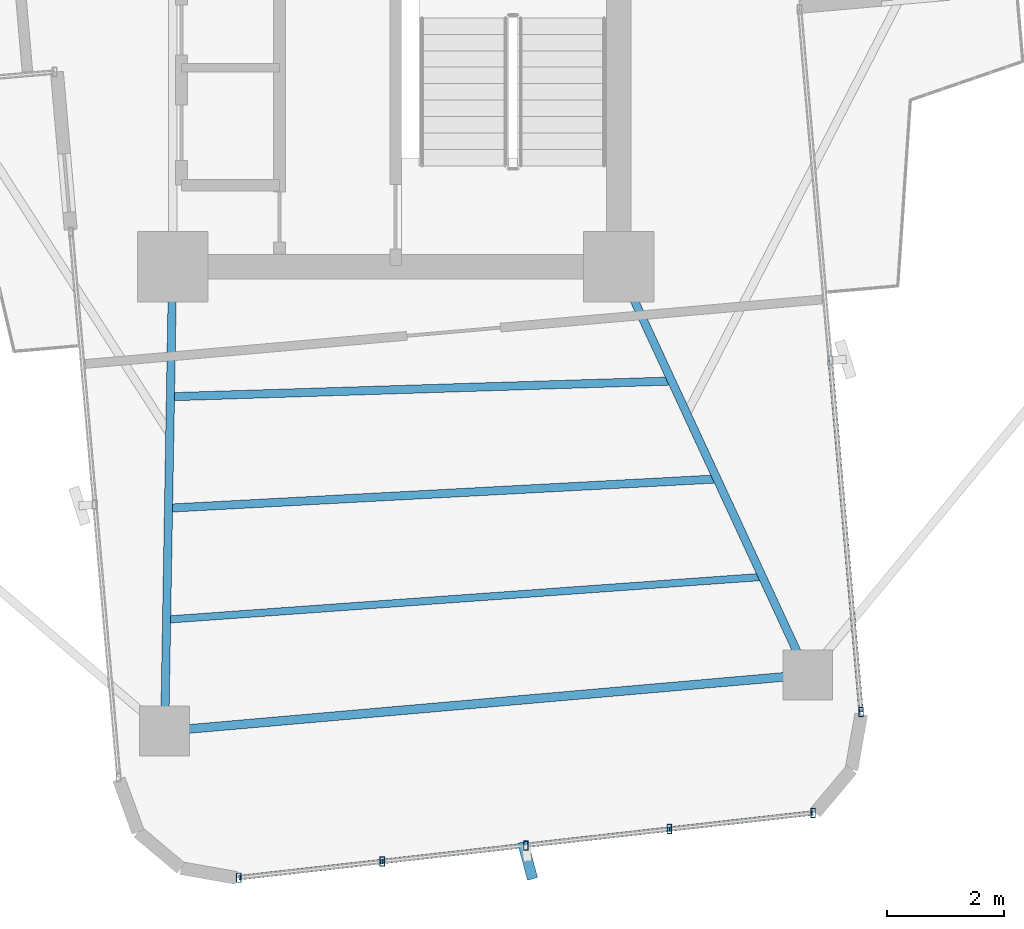
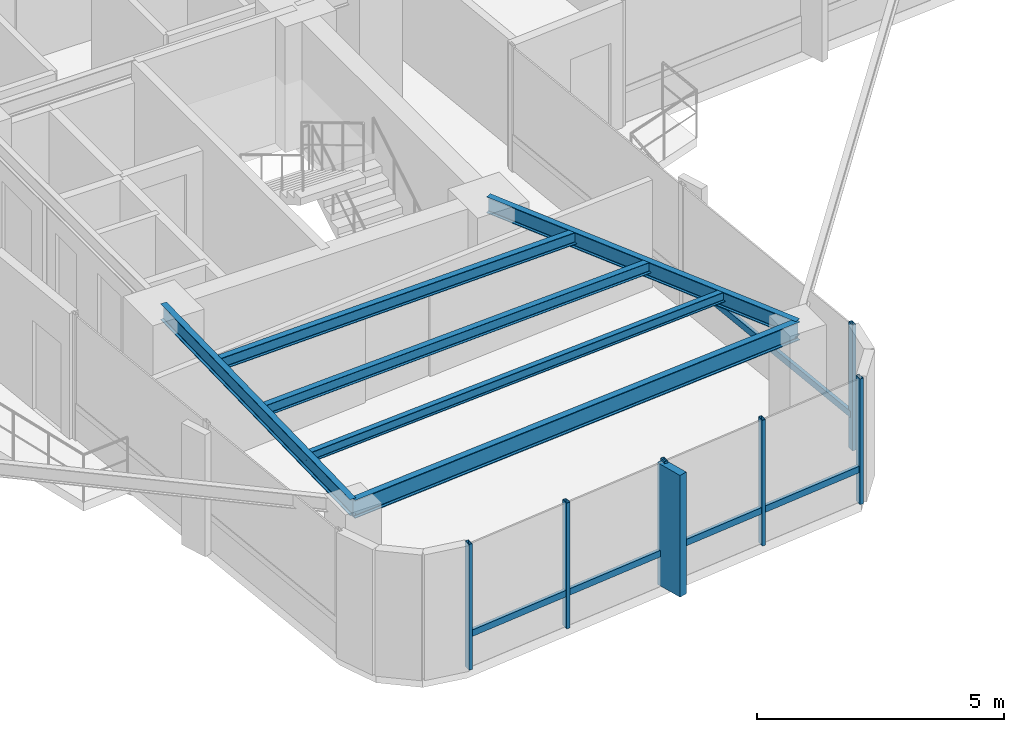
# One storey, part 6 of 24: 12 members, 6 beams, 2 elements without a shape of their own.
"""IFC4 building model written with IfcOpenShell, lengths in metres."""

from ifc_helpers import new_model, si_unit, direction, frame, origin, origin_2d, place, context, subcontext, project, spatial, rectangle, hollow_rectangle, i_section, extrude, source, transform, mapped, material, material_profile, profile_set, type_object, element, aggregate, save


model = new_model("IFC4")

# Units and contexts
model_context = context("Model", 3, precision=1e-05, world=origin(), true_north=direction((0.0, 1.0)))
body_context = subcontext(model_context, "Body", "Model", "MODEL_VIEW")
ifc_project = project(units=[si_unit("LENGTHUNIT", "METRE"), si_unit("AREAUNIT", "SQUARE_METRE"), si_unit("VOLUMEUNIT", "CUBIC_METRE"), si_unit("PLANEANGLEUNIT", "RADIAN"), si_unit("MASSUNIT", "GRAM", prefix="KILO")], contexts=[model_context])

# Site, building, storey
site_placement = place(None, origin())
site = spatial("IfcSite", under=ifc_project, at=site_placement, CompositionType="ELEMENT")
building_placement = place(site_placement, origin())
building = spatial("IfcBuilding", under=site, at=building_placement, Name="Sahyath Konkavel Grand Hotel", CompositionType="ELEMENT")
storey_placement = place(building_placement, frame((0.0, 0.0, 153.949951171875)))
storey = spatial("IfcBuildingStorey", under=building, at=storey_placement, Name="L42", CompositionType="ELEMENT", Elevation=153.949951171875)

# Beams
ifc_material_1 = material(Name="Steel E350", Category="steel")
ifc_material_profile_1 = material_profile(ifc_material_1, i_section(OverallWidth=0.139892578125, OverallDepth=0.39990234375, WebThickness=0.0087890625, FlangeThickness=0.01611328125, FilletRadius=0.013916015625, at=origin_2d()), Name="ISMB 400")
ifc_profile_set_1 = profile_set([ifc_material_profile_1], Name="Steel E350")
beam_type_1 = type_object("IfcBeamType", Name="BM-ISMB400", PredefinedType="BEAM", material=ifc_profile_set_1)
shared_shape_1 = source(origin(), body_context, "Body", "SweptSolid", [
    extrude(i_section(OverallWidth=0.139892578125, OverallDepth=0.39990234375, WebThickness=0.0087890625, FlangeThickness=0.01611328125, FilletRadius=0.013916015625, at=origin_2d()), origin(), (0.0, 0.0, 1.0), 7.913330078125),
])
beam_1_placement = place(storey_placement, frame((-3.800048828125, -10.199951171875, 2.91015625), z_axis=(-0.017215419232, -0.999851803689, 0.0), x_axis=(0.999851803689, -0.017215419232, 0.0)))
element("IfcBeam", 1, at=beam_1_placement, inside=storey, type_object=beam_type_1, Name="L42 Cruciform Radial Girder SA", PredefinedType="BEAM", context=body_context, shape_type="MappedRepresentation", body=[
    mapped(shared_shape_1, transform((0.0, 0.0, 0.0), scale=1.0)),
])
shared_shape_2 = source(origin(), body_context, "Body", "SweptSolid", [
    extrude(i_section(OverallWidth=0.139892578125, OverallDepth=0.39990234375, WebThickness=0.0087890625, FlangeThickness=0.01611328125, FilletRadius=0.013916015625, at=origin_2d()), origin(), (0.0, 0.0, 1.0), 7.66357421875),
])
beam_2_placement = place(storey_placement, frame((3.800048828125, -10.199951171875, 2.91015625), z_axis=(0.420395127561, -0.907341135804, 0.0), x_axis=(0.907341135804, 0.420395127561, 0.0)))
element("IfcBeam", 2, at=beam_2_placement, inside=storey, type_object=beam_type_1, Name="L42 Cruciform Radial Girder SB", PredefinedType="BEAM", context=body_context, shape_type="MappedRepresentation", body=[
    mapped(shared_shape_2, transform((0.0, 0.0, 0.0), scale=1.0)),
])
ifc_material_profile_2 = material_profile(ifc_material_1, i_section(OverallWidth=0.14990234375, OverallDepth=0.449951171875, WebThickness=0.009521484375, FlangeThickness=0.017333984375, FilletRadius=0.014892578125, at=origin_2d()), Name="ISMB 450")
ifc_profile_set_2 = profile_set([ifc_material_profile_2], Name="Steel E350")
beam_type_2 = type_object("IfcBeamType", Name="BM-ISMB450", PredefinedType="BEAM", material=ifc_profile_set_2)
shared_shape_3 = source(origin(), body_context, "Body", "SweptSolid", [
    extrude(i_section(OverallWidth=0.14990234375, OverallDepth=0.449951171875, WebThickness=0.009521484375, FlangeThickness=0.017333984375, FilletRadius=0.014892578125, at=origin_2d()), origin(), (0.0, 0.0, 1.0), 10.999755859375),
])
beam_3_placement = place(storey_placement, frame((-3.936279296875, -18.112060546875, 2.885009765625), z_axis=(0.99619439202, 0.087159241098, 0.0), x_axis=(-0.087159241098, 0.99619439202, 0.0)))
element("IfcBeam", 3, at=beam_3_placement, inside=storey, type_object=beam_type_2, Name="L42 Wing Tip Edge Beam S", PredefinedType="BEAM", context=body_context, shape_type="MappedRepresentation", body=[
    mapped(shared_shape_3, transform((0.0, 0.0, 0.0), scale=1.0)),
])
ifc_material_profile_3 = material_profile(ifc_material_1, i_section(OverallWidth=0.139892578125, OverallDepth=0.300048828125, WebThickness=0.0078125, FlangeThickness=0.01318359375, FilletRadius=0.013916015625, at=origin_2d()), Name="ISMB 300")
ifc_profile_set_3 = profile_set([ifc_material_profile_3], Name="Steel E350")
beam_type_3 = type_object("IfcBeamType", Name="BM-ISMB300", PredefinedType="BEAM", material=ifc_profile_set_3)
shared_shape_4 = source(origin(), body_context, "Body", "SweptSolid", [
    extrude(i_section(OverallWidth=0.139892578125, OverallDepth=0.300048828125, WebThickness=0.0078125, FlangeThickness=0.01318359375, FilletRadius=0.013916015625, at=origin_2d()), origin(), (0.0, 0.0, 1.0), 8.54443359375),
])
beam_4_placement = place(storey_placement, frame((-3.838134765625, -12.415283203125, 2.9599609375), z_axis=(0.999506849365, 0.031401561632, 0.0), x_axis=(-0.031401561632, 0.999506849365, 0.0)))
element("IfcBeam", 4, at=beam_4_placement, inside=storey, type_object=beam_type_3, Name="L42 Secondary Floor Beam S-1", PredefinedType="BEAM", context=body_context, shape_type="MappedRepresentation", body=[
    mapped(shared_shape_4, transform((0.0, 0.0, 0.0), scale=1.0)),
])
ifc_material_profile_4 = material_profile(ifc_material_1, i_section(OverallWidth=0.139892578125, OverallDepth=0.27490234375, WebThickness=0.00634765625, FlangeThickness=0.0087890625, FilletRadius=0.012939453125, at=origin_2d()), Name="ISLB 275")
ifc_profile_set_4 = profile_set([ifc_material_profile_4], Name="Steel E350")
beam_type_4 = type_object("IfcBeamType", Name="BM-ISLB275", PredefinedType="BEAM", material=ifc_profile_set_4)
shared_shape_5 = source(origin(), body_context, "Body", "SweptSolid", [
    extrude(i_section(OverallWidth=0.139892578125, OverallDepth=0.27490234375, WebThickness=0.00634765625, FlangeThickness=0.0087890625, FilletRadius=0.012939453125, at=origin_2d()), origin(), (0.0, 0.0, 1.0), 9.359375),
])
beam_5_placement = place(storey_placement, frame((-3.870849609375, -14.314208984375, 2.97265625), z_axis=(0.998580397723, 0.053265272769, 0.0), x_axis=(-0.053265272769, 0.998580397723, 0.0)))
element("IfcBeam", 5, at=beam_5_placement, inside=storey, type_object=beam_type_4, Name="L42 Secondary Floor Beam S-2", PredefinedType="BEAM", context=body_context, shape_type="MappedRepresentation", body=[
    mapped(shared_shape_5, transform((0.0, 0.0, 0.0), scale=1.0)),
])
ifc_material_profile_5 = material_profile(ifc_material_1, i_section(OverallWidth=0.125, OverallDepth=0.25, WebThickness=0.0068359375, FlangeThickness=0.012451171875, FilletRadius=0.012939453125, at=origin_2d()), Name="ISMB 250")
ifc_profile_set_5 = profile_set([ifc_material_profile_5], Name="Steel E350")
beam_type_5 = type_object("IfcBeamType", Name="BM-ISMB250", PredefinedType="BEAM", material=ifc_profile_set_5)
shared_shape_6 = source(origin(), body_context, "Body", "SweptSolid", [
    extrude(i_section(OverallWidth=0.125, OverallDepth=0.25, WebThickness=0.0068359375, FlangeThickness=0.012451171875, FilletRadius=0.012939453125, at=origin_2d()), origin(), (0.0, 0.0, 1.0), 10.178466796875),
])
beam_6_placement = place(storey_placement, frame((-3.90380859375, -16.213134765625, 2.985107421875), z_axis=(0.997435268886, 0.071574327683, 0.0), x_axis=(-0.071574327683, 0.997435268886, 0.0)))
element("IfcBeam", 6, at=beam_6_placement, inside=storey, type_object=beam_type_5, Name="L42 Secondary Floor Beam S-3", PredefinedType="BEAM", context=body_context, shape_type="MappedRepresentation", body=[
    mapped(shared_shape_6, transform((0.0, 0.0, 0.0), scale=1.0)),
])

# Curtain wall, members
ifc_material_2 = material(Name="Anodised Bronze Aluminium & Low-E Glazing", Category="aluminium")
curtain_wall_type = type_object("IfcCurtainWallType", Name="CW-ZONE3", PredefinedType="NOTDEFINED", material=ifc_material_2)
curtain_wall_1_placement = place(storey_placement, origin())
curtain_wall_1 = element("IfcCurtainWall", 7, at=curtain_wall_1_placement, inside=storey, type_object=curtain_wall_type, Name="L42 Unitised Curtain Wall F28", PredefinedType="NOTDEFINED")
ifc_material_3 = material(Name="Warm Buff Sandstone Cladding on Concrete C50/60", Category="masonry")
ifc_material_profile_6 = material_profile(ifc_material_3, rectangle(XDim=0.179931640625, YDim=0.64990234375, at=origin_2d()), Name="FIN 180x650")
ifc_profile_set_6 = profile_set([ifc_material_profile_6], Name="Warm Buff Sandstone Cladding on Concrete C50/60")
member_type_1 = type_object("IfcMemberType", Name="FIN-SANDSTONE-650", PredefinedType="MULLION", material=ifc_profile_set_6)
shared_shape_7 = source(origin(), body_context, "Body", "SweptSolid", [
    extrude(rectangle(XDim=0.179931640625, YDim=0.64990234375, at=origin_2d()), origin(), (0.0, 0.0, 1.0), 3.010009765625),
])
member_1_placement = place(storey_placement, frame((2.248291015625, -20.3173828125, 0.050048828125), z_axis=(0.0, 0.0, 1.0), x_axis=(0.965744901133, 0.259493325415, 0.0)))
member_1 = element("IfcMember", 8, at=member_1_placement, type_object=member_type_1, Name="L42 Sandstone Vertical Solar Fin FIN F28-2", PredefinedType="MULLION", context=body_context, shape_type="MappedRepresentation", body=[
    mapped(shared_shape_7, transform((0.0, 0.0, 0.0), scale=1.0)),
])
ifc_material_4 = material(Name="Anodised Bronze Aluminium", Category="aluminium")
ifc_material_profile_7 = material_profile(ifc_material_4, hollow_rectangle(XDim=0.080078125, YDim=0.159912109375, WallThickness=0.006103515625, at=origin_2d()), Name="RHS 160x80x6")
ifc_profile_set_7 = profile_set([ifc_material_profile_7], Name="Anodised Bronze Aluminium")
member_type_2 = type_object("IfcMemberType", Name="CW-MUL-160", PredefinedType="MULLION", material=ifc_profile_set_7)
shared_shape_8 = source(origin(), body_context, "Body", "SweptSolid", [
    extrude(hollow_rectangle(XDim=0.080078125, YDim=0.159912109375, WallThickness=0.006103515625, at=origin_2d()), origin(), (0.0, 0.0, 1.0), 3.110107421875),
])
member_2_placement = place(storey_placement, frame((-2.673828125, -20.610595703125, 0.0), z_axis=(0.0, 0.0, 1.0), x_axis=(1.0, 0.0, 0.0)))
member_2 = element("IfcMember", 9, at=member_2_placement, type_object=member_type_2, Name="L42 Curtain Wall Mullion F28-0", PredefinedType="MULLION", context=body_context, shape_type="MappedRepresentation", body=[
    mapped(shared_shape_8, transform((0.0, 0.0, 0.0), scale=1.0)),
])
member_3_placement = place(storey_placement, frame((-0.227294921875, -20.334716796875, 0.0), z_axis=(0.0, 0.0, 1.0), x_axis=(1.0, 0.0, 0.0)))
member_3 = element("IfcMember", 10, at=member_3_placement, type_object=member_type_2, Name="L42 Curtain Wall Mullion F28-1", PredefinedType="MULLION", context=body_context, shape_type="MappedRepresentation", body=[
    mapped(shared_shape_8, transform((0.0, 0.0, 0.0), scale=1.0)),
])
member_4_placement = place(storey_placement, frame((2.21923828125, -20.05908203125, 0.0), z_axis=(0.0, 0.0, 1.0), x_axis=(1.0, 0.0, 0.0)))
member_4 = element("IfcMember", 11, at=member_4_placement, type_object=member_type_2, Name="L42 Curtain Wall Mullion F28-2", PredefinedType="MULLION", context=body_context, shape_type="MappedRepresentation", body=[
    mapped(shared_shape_8, transform((0.0, 0.0, 0.0), scale=1.0)),
])
member_5_placement = place(storey_placement, frame((4.665771484375, -19.783203125, 0.0), z_axis=(0.0, 0.0, 1.0), x_axis=(1.0, 0.0, 0.0)))
member_5 = element("IfcMember", 12, at=member_5_placement, type_object=member_type_2, Name="L42 Curtain Wall Mullion F28-3", PredefinedType="MULLION", context=body_context, shape_type="MappedRepresentation", body=[
    mapped(shared_shape_8, transform((0.0, 0.0, 0.0), scale=1.0)),
])
member_6_placement = place(storey_placement, frame((7.1123046875, -19.507568359375, 0.0), z_axis=(0.0, 0.0, 1.0), x_axis=(1.0, 0.0, 0.0)))
member_6 = element("IfcMember", 13, at=member_6_placement, type_object=member_type_2, Name="L42 Curtain Wall Mullion F28-4", PredefinedType="MULLION", context=body_context, shape_type="MappedRepresentation", body=[
    mapped(shared_shape_8, transform((0.0, 0.0, 0.0), scale=1.0)),
])

# Curtain wall, member
curtain_wall_2_placement = place(storey_placement, origin())
curtain_wall_2 = element("IfcCurtainWall", 14, at=curtain_wall_2_placement, inside=storey, type_object=curtain_wall_type, Name="L42 Unitised Curtain Wall F31", PredefinedType="NOTDEFINED")
member_7_placement = place(storey_placement, frame((7.930419921875, -17.78662109375, 0.0), z_axis=(0.0, 0.0, 1.0), x_axis=(1.0, 0.0, 0.0)))
member_7 = element("IfcMember", 15, at=member_7_placement, type_object=member_type_2, Name="L42 Curtain Wall Mullion F31-0", PredefinedType="MULLION", context=body_context, shape_type="MappedRepresentation", body=[
    mapped(shared_shape_8, transform((0.0, 0.0, 0.0), scale=1.0)),
])

# Member
ifc_material_profile_8 = material_profile(ifc_material_4, hollow_rectangle(XDim=0.080078125, YDim=0.159912109375, WallThickness=0.006103515625, at=origin_2d()), Name="RHS 160x80x6")
ifc_profile_set_8 = profile_set([ifc_material_profile_8], Name="Anodised Bronze Aluminium")
member_type_3 = type_object("IfcMemberType", Name="CW-TRN-160", PredefinedType="USERDEFINED", material=ifc_profile_set_8)
shared_shape_9 = source(origin(), body_context, "Body", "SweptSolid", [
    extrude(hollow_rectangle(XDim=0.080078125, YDim=0.159912109375, WallThickness=0.006103515625, at=origin_2d()), origin(), (0.0, 0.0, 1.0), 2.462158203125),
])
member_8_placement = place(storey_placement, frame((-2.673828125, -20.610595703125, 0.85009765625), z_axis=(0.99370222711, 0.112053040279, 0.0), x_axis=(-0.112053040279, 0.99370222711, 0.0)))
member_8 = element("IfcMember", 16, at=member_8_placement, type_object=member_type_3, Name="L42 Curtain Wall Transom F28-0-spandrel", ObjectType="TRANSOM", PredefinedType="USERDEFINED", context=body_context, shape_type="MappedRepresentation", body=[
    mapped(shared_shape_9, transform((0.0, 0.0, 0.0), scale=1.0)),
])

member_9_placement = place(storey_placement, frame((2.21923828125, -20.05908203125, 0.85009765625), z_axis=(0.99370222711, 0.112053040279, 0.0), x_axis=(-0.112053040279, 0.99370222711, 0.0)))
member_9 = element("IfcMember", 17, at=member_9_placement, type_object=member_type_3, Name="L42 Curtain Wall Transom F28-2-spandrel", ObjectType="TRANSOM", PredefinedType="USERDEFINED", context=body_context, shape_type="MappedRepresentation", body=[
    mapped(shared_shape_9, transform((0.0, 0.0, 0.0), scale=1.0)),
])

shared_shape_10 = source(origin(), body_context, "Body", "SweptSolid", [
    extrude(hollow_rectangle(XDim=0.080078125, YDim=0.159912109375, WallThickness=0.006103515625, at=origin_2d()), origin(), (0.0, 0.0, 1.0), 2.4619140625),
])
member_10_placement = place(storey_placement, frame((-0.227294921875, -20.334716796875, 0.85009765625), z_axis=(0.993713263833, 0.111955121731, 0.0), x_axis=(-0.111955121731, 0.993713263833, 0.0)))
member_10 = element("IfcMember", 18, at=member_10_placement, type_object=member_type_3, Name="L42 Curtain Wall Transom F28-1-spandrel", ObjectType="TRANSOM", PredefinedType="USERDEFINED", context=body_context, shape_type="MappedRepresentation", body=[
    mapped(shared_shape_10, transform((0.0, 0.0, 0.0), scale=1.0)),
])

member_11_placement = place(storey_placement, frame((4.665771484375, -19.783203125, 0.85009765625), z_axis=(0.993713263833, 0.111955121731, 0.0), x_axis=(-0.111955121731, 0.993713263833, 0.0)))
member_11 = element("IfcMember", 19, at=member_11_placement, type_object=member_type_3, Name="L42 Curtain Wall Transom F28-3-spandrel", ObjectType="TRANSOM", PredefinedType="USERDEFINED", context=body_context, shape_type="MappedRepresentation", body=[
    mapped(shared_shape_10, transform((0.0, 0.0, 0.0), scale=1.0)),
])

aggregate(curtain_wall_1, [member_2, member_3, member_4, member_1, member_5, member_6, member_8, member_10, member_9, member_11])

shared_shape_11 = source(origin(), body_context, "Body", "SweptSolid", [
    extrude(hollow_rectangle(XDim=0.080078125, YDim=0.159912109375, WallThickness=0.006103515625, at=origin_2d()), origin(), (0.0, 0.0, 1.0), 6.01025390625),
])
member_12_placement = place(storey_placement, frame((7.930419921875, -17.78662109375, 0.85009765625), z_axis=(-0.087172997156, 0.996193188376, 0.0), x_axis=(-0.996193188376, -0.087172997156, 0.0)))
member_12 = element("IfcMember", 20, at=member_12_placement, type_object=member_type_3, Name="L42 Curtain Wall Transom F31-0-spandrel", ObjectType="TRANSOM", PredefinedType="USERDEFINED", context=body_context, shape_type="MappedRepresentation", body=[
    mapped(shared_shape_11, transform((0.0, 0.0, 0.0), scale=1.0)),
])

aggregate(curtain_wall_2, [member_7, member_12])

save(model, "model.ifc")
